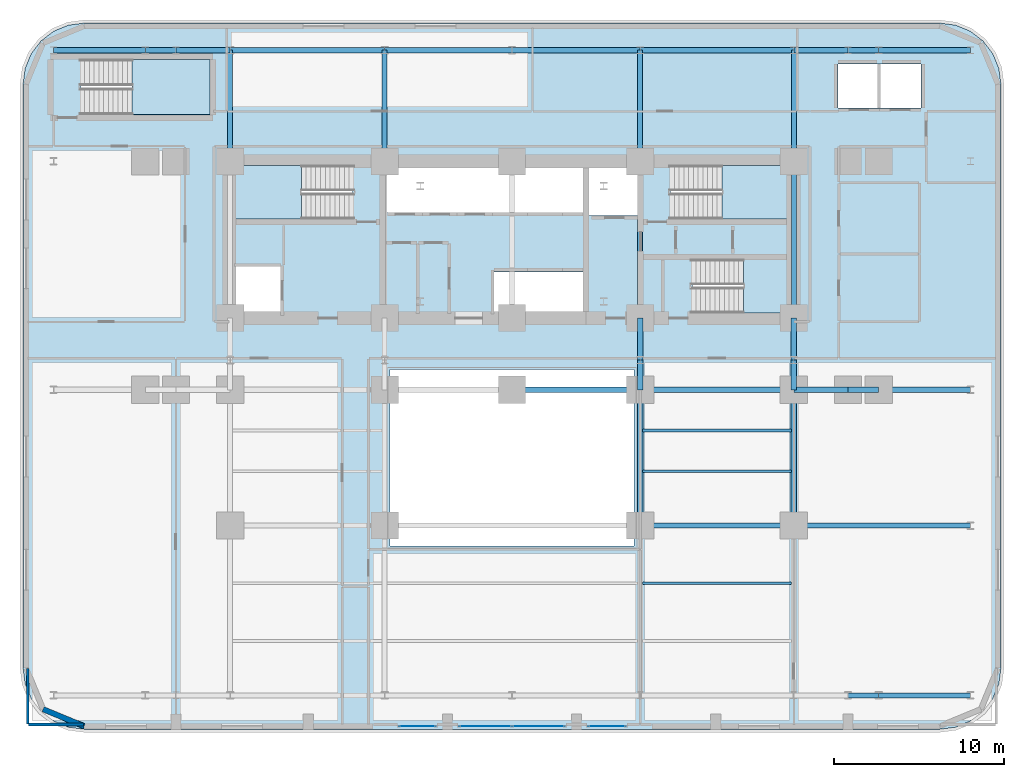
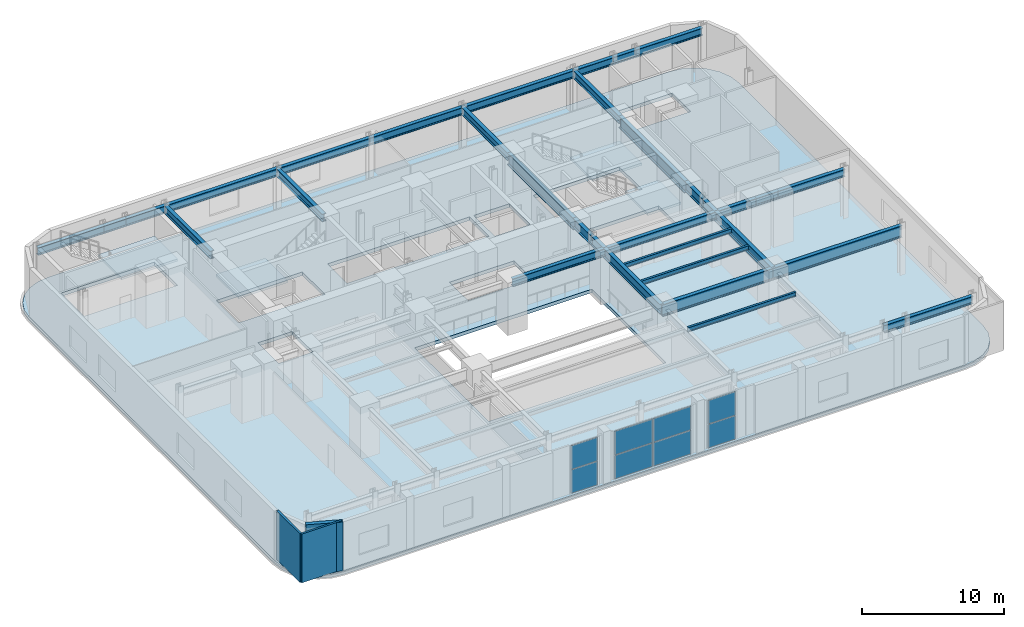
# One storey, part 5 of 14: 34 beams, 8 plates, 5 slabs, 3 walls, 7 elements without a shape of their own.
"""IFC4 building model written with IfcOpenShell, lengths in metres."""

from ifc_helpers import new_model, si_unit, direction, frame, frame_2d, origin, origin_2d, place, context, subcontext, project, spatial, polyline, rectangle, i_section, outline, extrude, material, layer, layer_set, material_profile, profile_set, type_object, element, aggregate, save


model = new_model("IFC4")

# Units and contexts
model_context = context("Model", 3, precision=1e-05, world=origin(), true_north=direction((0.0, 1.0)))
body_context = subcontext(model_context, "Body", "Model", "MODEL_VIEW")
ifc_project = project(units=[si_unit("LENGTHUNIT", "METRE"), si_unit("AREAUNIT", "SQUARE_METRE"), si_unit("VOLUMEUNIT", "CUBIC_METRE"), si_unit("PLANEANGLEUNIT", "RADIAN"), si_unit("MASSUNIT", "GRAM", prefix="KILO")], contexts=[model_context])

# Site, building, storey
site_placement = place(None, origin())
site = spatial("IfcSite", under=ifc_project, at=site_placement, CompositionType="ELEMENT")
building_placement = place(site_placement, origin())
building = spatial("IfcBuilding", under=site, at=building_placement, Name="Zarnavel Station Tower", CompositionType="ELEMENT")
storey_placement = place(building_placement, frame((0.0, 0.0, 10.39990234375)))
storey = spatial("IfcBuildingStorey", under=building, at=storey_placement, Name="L03", CompositionType="ELEMENT", Elevation=10.39990234375)

# Beams
ifc_material_1 = material(Name="Steel S355J2", Category="steel")
ifc_material_profile_1 = material_profile(ifc_material_1, i_section(OverallWidth=0.300048828125, OverallDepth=0.64990234375, WebThickness=0.01611328125, FlangeThickness=0.031005859375, FilletRadius=0.027099609375, at=origin_2d()), Name="HEB650")
ifc_profile_set_1 = profile_set([ifc_material_profile_1], Name="Steel S355J2")
beam_type_1 = type_object("IfcBeamType", Name="FG_HEB650", PredefinedType="USERDEFINED", material=ifc_profile_set_1)
for number, where, z_axis, x_axis, name in (
    (1, (12.199951171875, 37.050048828125, 3.875), (0.0, 1.0, 0.0), (-1.0, 0.0, 0.0), "L03 NS Girder North 1"),
    (2, (21.300048828125, 37.050048828125, 3.875), (0.0, 1.0, 0.0), (-1.0, 0.0, 0.0), "L03 NS Girder North 2"),
    (3, (36.35009765625, 37.050048828125, 3.875), (0.0, 1.0, 0.0), (-1.0, 0.0, 0.0), "L03 NS Girder North 3"),
    (4, (45.39990234375, 37.050048828125, 3.875), (0.0, 1.0, 0.0), (-1.0, 0.0, 0.0), "L03 NS Girder North 4"),
):
    element("IfcBeam", number, at=place(storey_placement, frame(where, z_axis=z_axis, x_axis=x_axis)), inside=storey, type_object=beam_type_1, Name=name, ObjectType="GIRDER", PredefinedType="USERDEFINED", context=body_context, shape_type="SweptSolid", body=[
        extrude(i_section(OverallWidth=0.300048828125, OverallDepth=0.64990234375, WebThickness=0.01611328125, FlangeThickness=0.031005859375, FilletRadius=0.027099609375, at=origin_2d()), origin(), (0.0, 0.0, 1.0), 6.550048828125),
    ])
beam_1_placement = place(storey_placement, frame((48.60009765625, 5.60009765625, 3.875), z_axis=(1.0, 0.0, 0.0), x_axis=(0.0, 1.0, 0.0)))
element("IfcBeam", 5, at=beam_1_placement, inside=storey, type_object=beam_type_1, Name="L03 EW Frame Girder 1-9", ObjectType="GIRDER", PredefinedType="USERDEFINED", context=body_context, shape_type="SweptSolid", body=[
    extrude(i_section(OverallWidth=0.300048828125, OverallDepth=0.64990234375, WebThickness=0.01611328125, FlangeThickness=0.031005859375, FilletRadius=0.027099609375, at=origin_2d()), origin(), (0.0, 0.0, 1.0), 1.7998046875),
])
beam_2_placement = place(storey_placement, frame((50.39990234375, 5.60009765625, 3.875), z_axis=(1.0, 0.0, 0.0), x_axis=(0.0, 1.0, 0.0)))
element("IfcBeam", 6, at=beam_2_placement, inside=storey, type_object=beam_type_1, Name="L03 EW Frame Girder 1-10", ObjectType="GIRDER", PredefinedType="USERDEFINED", context=body_context, shape_type="SweptSolid", body=[
    extrude(i_section(OverallWidth=0.300048828125, OverallDepth=0.64990234375, WebThickness=0.01611328125, FlangeThickness=0.031005859375, FilletRadius=0.027099609375, at=origin_2d()), origin(), (0.0, 0.0, 1.0), 5.400146484375),
])
beam_3_placement = place(storey_placement, frame((28.800048828125, 23.60009765625, 3.875), z_axis=(1.0, 0.0, 0.0), x_axis=(0.0, 1.0, 0.0)))
element("IfcBeam", 7, at=beam_3_placement, inside=storey, type_object=beam_type_1, Name="L03 EW Frame Girder 2-6", ObjectType="GIRDER", PredefinedType="USERDEFINED", context=body_context, shape_type="SweptSolid", body=[
    extrude(i_section(OverallWidth=0.300048828125, OverallDepth=0.64990234375, WebThickness=0.01611328125, FlangeThickness=0.031005859375, FilletRadius=0.027099609375, at=origin_2d()), origin(), (0.0, 0.0, 1.0), 7.550048828125),
])
beam_4_placement = place(storey_placement, frame((36.35009765625, 23.60009765625, 3.875), z_axis=(1.0, 0.0, 0.0), x_axis=(0.0, 1.0, 0.0)))
element("IfcBeam", 8, at=beam_4_placement, inside=storey, type_object=beam_type_1, Name="L03 EW Frame Girder 2-7", ObjectType="GIRDER", PredefinedType="USERDEFINED", context=body_context, shape_type="SweptSolid", body=[
    extrude(i_section(OverallWidth=0.300048828125, OverallDepth=0.64990234375, WebThickness=0.01611328125, FlangeThickness=0.031005859375, FilletRadius=0.027099609375, at=origin_2d()), origin(), (0.0, 0.0, 1.0), 9.0498046875),
])
beam_5_placement = place(storey_placement, frame((45.39990234375, 23.60009765625, 3.875), z_axis=(1.0, 0.0, 0.0), x_axis=(0.0, 1.0, 0.0)))
element("IfcBeam", 9, at=beam_5_placement, inside=storey, type_object=beam_type_1, Name="L03 EW Frame Girder 2-8", ObjectType="GIRDER", PredefinedType="USERDEFINED", context=body_context, shape_type="SweptSolid", body=[
    extrude(i_section(OverallWidth=0.300048828125, OverallDepth=0.64990234375, WebThickness=0.01611328125, FlangeThickness=0.031005859375, FilletRadius=0.027099609375, at=origin_2d()), origin(), (0.0, 0.0, 1.0), 3.2001953125),
])
beam_6_placement = place(storey_placement, frame((48.60009765625, 23.60009765625, 3.875), z_axis=(1.0, 0.0, 0.0), x_axis=(0.0, 1.0, 0.0)))
element("IfcBeam", 10, at=beam_6_placement, inside=storey, type_object=beam_type_1, Name="L03 EW Frame Girder 2-9", ObjectType="GIRDER", PredefinedType="USERDEFINED", context=body_context, shape_type="SweptSolid", body=[
    extrude(i_section(OverallWidth=0.300048828125, OverallDepth=0.64990234375, WebThickness=0.01611328125, FlangeThickness=0.031005859375, FilletRadius=0.027099609375, at=origin_2d()), origin(), (0.0, 0.0, 1.0), 1.7998046875),
])
beam_7_placement = place(storey_placement, frame((50.39990234375, 23.60009765625, 3.875), z_axis=(1.0, 0.0, 0.0), x_axis=(0.0, 1.0, 0.0)))
element("IfcBeam", 11, at=beam_7_placement, inside=storey, type_object=beam_type_1, Name="L03 EW Frame Girder 2-10", ObjectType="GIRDER", PredefinedType="USERDEFINED", context=body_context, shape_type="SweptSolid", body=[
    extrude(i_section(OverallWidth=0.300048828125, OverallDepth=0.64990234375, WebThickness=0.01611328125, FlangeThickness=0.031005859375, FilletRadius=0.027099609375, at=origin_2d()), origin(), (0.0, 0.0, 1.0), 5.400146484375),
])
beam_8_placement = place(storey_placement, frame((1.800048828125, 43.60009765625, 3.875), z_axis=(1.0, 0.0, 0.0), x_axis=(0.0, 1.0, 0.0)))
element("IfcBeam", 12, at=beam_8_placement, inside=storey, type_object=beam_type_1, Name="L03 EW Frame Girder 3-1", ObjectType="GIRDER", PredefinedType="USERDEFINED", context=body_context, shape_type="SweptSolid", body=[
    extrude(i_section(OverallWidth=0.300048828125, OverallDepth=0.64990234375, WebThickness=0.01611328125, FlangeThickness=0.031005859375, FilletRadius=0.027099609375, at=origin_2d()), origin(), (0.0, 0.0, 1.0), 5.39990234375),
])
beam_9_placement = place(storey_placement, frame((7.199951171875, 43.60009765625, 3.875), z_axis=(1.0, 0.0, 0.0), x_axis=(0.0, 1.0, 0.0)))
element("IfcBeam", 13, at=beam_9_placement, inside=storey, type_object=beam_type_1, Name="L03 EW Frame Girder 3-2", ObjectType="GIRDER", PredefinedType="USERDEFINED", context=body_context, shape_type="SweptSolid", body=[
    extrude(i_section(OverallWidth=0.300048828125, OverallDepth=0.64990234375, WebThickness=0.01611328125, FlangeThickness=0.031005859375, FilletRadius=0.027099609375, at=origin_2d()), origin(), (0.0, 0.0, 1.0), 1.800048828125),
])
beam_10_placement = place(storey_placement, frame((9.0, 43.60009765625, 3.875), z_axis=(1.0, 0.0, 0.0), x_axis=(0.0, 1.0, 0.0)))
element("IfcBeam", 14, at=beam_10_placement, inside=storey, type_object=beam_type_1, Name="L03 EW Frame Girder 3-3", ObjectType="GIRDER", PredefinedType="USERDEFINED", context=body_context, shape_type="SweptSolid", body=[
    extrude(i_section(OverallWidth=0.300048828125, OverallDepth=0.64990234375, WebThickness=0.01611328125, FlangeThickness=0.031005859375, FilletRadius=0.027099609375, at=origin_2d()), origin(), (0.0, 0.0, 1.0), 3.199951171875),
])
beam_11_placement = place(storey_placement, frame((12.199951171875, 43.60009765625, 3.875), z_axis=(1.0, 0.0, 0.0), x_axis=(0.0, 1.0, 0.0)))
element("IfcBeam", 15, at=beam_11_placement, inside=storey, type_object=beam_type_1, Name="L03 EW Frame Girder 3-4", ObjectType="GIRDER", PredefinedType="USERDEFINED", context=body_context, shape_type="SweptSolid", body=[
    extrude(i_section(OverallWidth=0.300048828125, OverallDepth=0.64990234375, WebThickness=0.01611328125, FlangeThickness=0.031005859375, FilletRadius=0.027099609375, at=origin_2d()), origin(), (0.0, 0.0, 1.0), 9.10009765625),
])
beam_12_placement = place(storey_placement, frame((21.300048828125, 43.60009765625, 3.875), z_axis=(1.0, 0.0, 0.0), x_axis=(0.0, 1.0, 0.0)))
element("IfcBeam", 16, at=beam_12_placement, inside=storey, type_object=beam_type_1, Name="L03 EW Frame Girder 3-5", ObjectType="GIRDER", PredefinedType="USERDEFINED", context=body_context, shape_type="SweptSolid", body=[
    extrude(i_section(OverallWidth=0.300048828125, OverallDepth=0.64990234375, WebThickness=0.01611328125, FlangeThickness=0.031005859375, FilletRadius=0.027099609375, at=origin_2d()), origin(), (0.0, 0.0, 1.0), 7.5),
])
beam_13_placement = place(storey_placement, frame((28.800048828125, 43.60009765625, 3.875), z_axis=(1.0, 0.0, 0.0), x_axis=(0.0, 1.0, 0.0)))
element("IfcBeam", 17, at=beam_13_placement, inside=storey, type_object=beam_type_1, Name="L03 EW Frame Girder 3-6", ObjectType="GIRDER", PredefinedType="USERDEFINED", context=body_context, shape_type="SweptSolid", body=[
    extrude(i_section(OverallWidth=0.300048828125, OverallDepth=0.64990234375, WebThickness=0.01611328125, FlangeThickness=0.031005859375, FilletRadius=0.027099609375, at=origin_2d()), origin(), (0.0, 0.0, 1.0), 7.550048828125),
])
beam_14_placement = place(storey_placement, frame((36.35009765625, 43.60009765625, 3.875), z_axis=(1.0, 0.0, 0.0), x_axis=(0.0, 1.0, 0.0)))
element("IfcBeam", 18, at=beam_14_placement, inside=storey, type_object=beam_type_1, Name="L03 EW Frame Girder 3-7", ObjectType="GIRDER", PredefinedType="USERDEFINED", context=body_context, shape_type="SweptSolid", body=[
    extrude(i_section(OverallWidth=0.300048828125, OverallDepth=0.64990234375, WebThickness=0.01611328125, FlangeThickness=0.031005859375, FilletRadius=0.027099609375, at=origin_2d()), origin(), (0.0, 0.0, 1.0), 9.0498046875),
])
beam_15_placement = place(storey_placement, frame((45.39990234375, 43.60009765625, 3.875), z_axis=(1.0, 0.0, 0.0), x_axis=(0.0, 1.0, 0.0)))
element("IfcBeam", 19, at=beam_15_placement, inside=storey, type_object=beam_type_1, Name="L03 EW Frame Girder 3-8", ObjectType="GIRDER", PredefinedType="USERDEFINED", context=body_context, shape_type="SweptSolid", body=[
    extrude(i_section(OverallWidth=0.300048828125, OverallDepth=0.64990234375, WebThickness=0.01611328125, FlangeThickness=0.031005859375, FilletRadius=0.027099609375, at=origin_2d()), origin(), (0.0, 0.0, 1.0), 3.2001953125),
])
beam_16_placement = place(storey_placement, frame((48.60009765625, 43.60009765625, 3.875), z_axis=(1.0, 0.0, 0.0), x_axis=(0.0, 1.0, 0.0)))
element("IfcBeam", 20, at=beam_16_placement, inside=storey, type_object=beam_type_1, Name="L03 EW Frame Girder 3-9", ObjectType="GIRDER", PredefinedType="USERDEFINED", context=body_context, shape_type="SweptSolid", body=[
    extrude(i_section(OverallWidth=0.300048828125, OverallDepth=0.64990234375, WebThickness=0.01611328125, FlangeThickness=0.031005859375, FilletRadius=0.027099609375, at=origin_2d()), origin(), (0.0, 0.0, 1.0), 1.7998046875),
])
beam_17_placement = place(storey_placement, frame((50.39990234375, 43.60009765625, 3.875), z_axis=(1.0, 0.0, 0.0), x_axis=(0.0, 1.0, 0.0)))
element("IfcBeam", 21, at=beam_17_placement, inside=storey, type_object=beam_type_1, Name="L03 EW Frame Girder 3-10", ObjectType="GIRDER", PredefinedType="USERDEFINED", context=body_context, shape_type="SweptSolid", body=[
    extrude(i_section(OverallWidth=0.300048828125, OverallDepth=0.64990234375, WebThickness=0.01611328125, FlangeThickness=0.031005859375, FilletRadius=0.027099609375, at=origin_2d()), origin(), (0.0, 0.0, 1.0), 5.400146484375),
])
ifc_material_2 = material(Name="Steel S460M", Category="steel")
ifc_material_profile_2 = material_profile(ifc_material_2, i_section(OverallWidth=0.302978515625, OverallDepth=0.81396484375, WebThickness=0.02099609375, FlangeThickness=0.0400390625, FilletRadius=0.030029296875, at=origin_2d()), Name="HEM800")
ifc_profile_set_2 = profile_set([ifc_material_profile_2], Name="Steel S460M")
beam_type_2 = type_object("IfcBeamType", Name="FG_HEM800", PredefinedType="USERDEFINED", material=ifc_profile_set_2)
beam_18_placement = place(storey_placement, frame((36.35009765625, 15.60009765625, 3.793212890625), z_axis=(0.0, 1.0, 0.0), x_axis=(-1.0, 0.0, 0.0)))
element("IfcBeam", 22, at=beam_18_placement, inside=storey, type_object=beam_type_2, Name="L03 NS Girder Mid 3", ObjectType="GIRDER", PredefinedType="USERDEFINED", context=body_context, shape_type="SweptSolid", body=[
    extrude(i_section(OverallWidth=0.302978515625, OverallDepth=0.81396484375, WebThickness=0.02099609375, FlangeThickness=0.0400390625, FilletRadius=0.030029296875, at=origin_2d()), origin(), (0.0, 0.0, 1.0), 8.0),
])
beam_19_placement = place(storey_placement, frame((36.35009765625, 23.60009765625, 3.793212890625), z_axis=(0.0, 1.0, 0.0), x_axis=(-1.0, 0.0, 0.0)))
element("IfcBeam", 23, at=beam_19_placement, inside=storey, type_object=beam_type_2, Name="L03 NS Girder Spine 3", ObjectType="GIRDER", PredefinedType="USERDEFINED", context=body_context, shape_type="SweptSolid", body=[
    extrude(i_section(OverallWidth=0.302978515625, OverallDepth=0.81396484375, WebThickness=0.02099609375, FlangeThickness=0.0400390625, FilletRadius=0.030029296875, at=origin_2d()), origin(), (0.0, 0.0, 1.0), 1.75),
])
beam_20_placement = place(storey_placement, frame((36.35009765625, 25.35009765625, 3.793212890625), z_axis=(0.0, 1.0, 0.0), x_axis=(-1.0, 0.0, 0.0)))
element("IfcBeam", 24, at=beam_20_placement, inside=storey, type_object=beam_type_2, Name="L03 NS Girder Core 3", ObjectType="GIRDER", PredefinedType="USERDEFINED", context=body_context, shape_type="SweptSolid", body=[
    extrude(i_section(OverallWidth=0.302978515625, OverallDepth=0.81396484375, WebThickness=0.02099609375, FlangeThickness=0.0400390625, FilletRadius=0.030029296875, at=origin_2d()), origin(), (0.0, 0.0, 1.0), 2.469970703125),
])
beam_21_placement = place(storey_placement, frame((45.39990234375, 15.60009765625, 3.793212890625), z_axis=(0.0, 1.0, 0.0), x_axis=(-1.0, 0.0, 0.0)))
element("IfcBeam", 25, at=beam_21_placement, inside=storey, type_object=beam_type_2, Name="L03 NS Girder Mid 4", ObjectType="GIRDER", PredefinedType="USERDEFINED", context=body_context, shape_type="SweptSolid", body=[
    extrude(i_section(OverallWidth=0.302978515625, OverallDepth=0.81396484375, WebThickness=0.02099609375, FlangeThickness=0.0400390625, FilletRadius=0.030029296875, at=origin_2d()), origin(), (0.0, 0.0, 1.0), 8.0),
])
beam_22_placement = place(storey_placement, frame((45.39990234375, 23.60009765625, 3.793212890625), z_axis=(0.0, 1.0, 0.0), x_axis=(-1.0, 0.0, 0.0)))
element("IfcBeam", 26, at=beam_22_placement, inside=storey, type_object=beam_type_2, Name="L03 NS Girder Spine 4", ObjectType="GIRDER", PredefinedType="USERDEFINED", context=body_context, shape_type="SweptSolid", body=[
    extrude(i_section(OverallWidth=0.302978515625, OverallDepth=0.81396484375, WebThickness=0.02099609375, FlangeThickness=0.0400390625, FilletRadius=0.030029296875, at=origin_2d()), origin(), (0.0, 0.0, 1.0), 1.75),
])
beam_23_placement = place(storey_placement, frame((45.39990234375, 25.35009765625, 3.793212890625), z_axis=(0.0, 1.0, 0.0), x_axis=(-1.0, 0.0, 0.0)))
element("IfcBeam", 27, at=beam_23_placement, inside=storey, type_object=beam_type_2, Name="L03 NS Girder Core 4", ObjectType="GIRDER", PredefinedType="USERDEFINED", context=body_context, shape_type="SweptSolid", body=[
    extrude(i_section(OverallWidth=0.302978515625, OverallDepth=0.81396484375, WebThickness=0.02099609375, FlangeThickness=0.0400390625, FilletRadius=0.030029296875, at=origin_2d()), origin(), (0.0, 0.0, 1.0), 2.469970703125),
])
ifc_material_3 = material(Name="Steel S355J2", Category="steel")
ifc_material_profile_3 = material_profile(ifc_material_3, i_section(OverallWidth=0.169921875, OverallDepth=0.360107421875, WebThickness=0.008056640625, FlangeThickness=0.0126953125, FilletRadius=0.01806640625, at=origin_2d()), Name="IPE360")
ifc_profile_set_3 = profile_set([ifc_material_profile_3], Name="Steel S355J2")
beam_type_3 = type_object("IfcBeamType", Name="FJ_IPE360", PredefinedType="JOIST", material=ifc_profile_set_3)
for number, where, z_axis, x_axis, name in (
    (28, (36.4951171875, 12.199951171875, 4.02001953125), (1.0, 0.0, 0.0), (0.0, 1.0, 0.0), "L03 Floor Joist E2"),
    (29, (36.4951171875, 18.800048828125, 4.02001953125), (1.0, 0.0, 0.0), (0.0, 1.0, 0.0), "L03 East Joist 3"),
    (30, (36.4951171875, 21.199951171875, 4.02001953125), (1.0, 0.0, 0.0), (0.0, 1.0, 0.0), "L03 East Joist 4"),
):
    element("IfcBeam", number, at=place(storey_placement, frame(where, z_axis=z_axis, x_axis=x_axis)), inside=storey, type_object=beam_type_3, Name=name, PredefinedType="JOIST", context=body_context, shape_type="SweptSolid", body=[
        extrude(i_section(OverallWidth=0.169921875, OverallDepth=0.360107421875, WebThickness=0.008056640625, FlangeThickness=0.0126953125, FilletRadius=0.01806640625, at=origin_2d()), origin(), (0.0, 0.0, 1.0), 8.759765625),
    ])
ifc_material_4 = material(Name="Steel S460M", Category="steel")
ifc_material_profile_4 = material_profile(ifc_material_4, i_section(OverallWidth=0.302001953125, OverallDepth=1.008056640625, WebThickness=0.02099609375, FlangeThickness=0.0400390625, FilletRadius=0.030029296875, at=origin_2d()), Name="HEM1000")
ifc_profile_set_4 = profile_set([ifc_material_profile_4], Name="Steel S460M")
beam_type_4 = type_object("IfcBeamType", Name="TG_HEM1000", PredefinedType="USERDEFINED", material=ifc_profile_set_4)
for number, where, z_axis, x_axis, name in (
    (31, (36.35009765625, 27.820068359375, 3.696044921875), (0.0, 1.0, 0.0), (-1.0, 0.0, 0.0), "L03 Core Spine Coupling Girder 4"),
    (32, (45.39990234375, 27.820068359375, 3.696044921875), (0.0, 1.0, 0.0), (-1.0, 0.0, 0.0), "L03 Core Spine Coupling Girder 5"),
):
    element("IfcBeam", number, at=place(storey_placement, frame(where, z_axis=z_axis, x_axis=x_axis)), inside=storey, type_object=beam_type_4, Name=name, ObjectType="GIRDER", PredefinedType="USERDEFINED", context=body_context, shape_type="SweptSolid", body=[
        extrude(i_section(OverallWidth=0.302001953125, OverallDepth=1.008056640625, WebThickness=0.02099609375, FlangeThickness=0.0400390625, FilletRadius=0.030029296875, at=origin_2d()), origin(), (0.0, 0.0, 1.0), 9.22998046875),
    ])
beam_24_placement = place(storey_placement, frame((36.35009765625, 15.60009765625, 3.696044921875), z_axis=(1.0, 0.0, 0.0), x_axis=(0.0, 1.0, 0.0)))
element("IfcBeam", 33, at=beam_24_placement, inside=storey, type_object=beam_type_4, Name="L03 East Hall Inner Girder", ObjectType="GIRDER", PredefinedType="USERDEFINED", context=body_context, shape_type="SweptSolid", body=[
    extrude(i_section(OverallWidth=0.302001953125, OverallDepth=1.008056640625, WebThickness=0.02099609375, FlangeThickness=0.0400390625, FilletRadius=0.030029296875, at=origin_2d()), origin(), (0.0, 0.0, 1.0), 9.0498046875),
])
beam_25_placement = place(storey_placement, frame((45.39990234375, 15.60009765625, 3.696044921875), z_axis=(1.0, 0.0, 0.0), x_axis=(0.0, 1.0, 0.0)))
element("IfcBeam", 34, at=beam_25_placement, inside=storey, type_object=beam_type_4, Name="L03 East Hall Outer Girder", ObjectType="GIRDER", PredefinedType="USERDEFINED", context=body_context, shape_type="SweptSolid", body=[
    extrude(i_section(OverallWidth=0.302001953125, OverallDepth=1.008056640625, WebThickness=0.02099609375, FlangeThickness=0.0400390625, FilletRadius=0.030029296875, at=origin_2d()), origin(), (0.0, 0.0, 1.0), 10.400146484375),
])

# Curtain wall, plates
ifc_material_5 = material(Name="Aluminium Dark Anodised and Solar-Control Glass", Category="aluminium")
ifc_layer_1 = layer(ifc_material_5, 0.179931640625)
ifc_layer_set_1 = layer_set([ifc_layer_1], Name="CWS1")
curtain_wall_type = type_object("IfcCurtainWallType", Name="CWS1", PredefinedType="NOTDEFINED", material=ifc_layer_set_1)
curtain_wall_1_placement = place(storey_placement, origin())
curtain_wall_1 = element("IfcCurtainWall", 35, at=curtain_wall_1_placement, inside=storey, type_object=curtain_wall_type, Name="L03 Curtain Wall CWS1-L03-S-S1", PredefinedType="NOTDEFINED")
ifc_material_6 = material(Name="Double Low-E Dark Solar-Control Glass", Category="glass")
ifc_layer_2 = layer(ifc_material_6, 0.035888671875)
ifc_layer_set_2 = layer_set([ifc_layer_2], Name="CWS1_PNL")
plate_type = type_object("IfcPlateType", Name="CWS1_PNL", PredefinedType="CURTAIN_PANEL", material=ifc_layer_set_2)
plate_1_placement = place(storey_placement, frame((23.22802734375, 3.780029296875, 0.06005859375), z_axis=(0.0, 0.0, 1.0), x_axis=(1.0, 0.0, 0.0)))
plate_1 = element("IfcPlate", 36, at=plate_1_placement, type_object=plate_type, Name="CW1 panel 1.1", PredefinedType="CURTAIN_PANEL", context=body_context, shape_type="SweptSolid", body=[
    extrude(rectangle(XDim=2.135986328125, YDim=0.028076171875, at=origin_2d()), origin(), (0.0, 0.0, 1.0), 2.010009765625),
])
plate_2_placement = place(storey_placement, frame((23.22802734375, 3.780029296875, 2.1298828125), z_axis=(0.0, 0.0, 1.0), x_axis=(1.0, 0.0, 0.0)))
plate_2 = element("IfcPlate", 37, at=plate_2_placement, type_object=plate_type, Name="CW1 panel 1.2", PredefinedType="CURTAIN_PANEL", context=body_context, shape_type="SweptSolid", body=[
    extrude(rectangle(XDim=2.135986328125, YDim=0.028076171875, at=origin_2d()), origin(), (0.0, 0.0, 1.0), 2.010009765625),
])
aggregate(curtain_wall_1, [plate_1, plate_2])

curtain_wall_2_placement = place(storey_placement, origin())
curtain_wall_2 = element("IfcCurtainWall", 38, at=curtain_wall_2_placement, inside=storey, type_object=curtain_wall_type, Name="L03 Curtain Wall CWS1-L03-S-S2", PredefinedType="NOTDEFINED")
plate_3_placement = place(storey_placement, frame((27.237060546875, 3.780029296875, 0.06005859375), z_axis=(0.0, 0.0, 1.0), x_axis=(1.0, 0.0, 0.0)))
plate_3 = element("IfcPlate", 39, at=plate_3_placement, type_object=plate_type, Name="CW1 panel 1.1", PredefinedType="CURTAIN_PANEL", context=body_context, shape_type="SweptSolid", body=[
    extrude(rectangle(XDim=3.06591796875, YDim=0.028076171875, at=origin_2d()), origin(), (0.0, 0.0, 1.0), 2.010009765625),
])
plate_4_placement = place(storey_placement, frame((27.237060546875, 3.780029296875, 2.1298828125), z_axis=(0.0, 0.0, 1.0), x_axis=(1.0, 0.0, 0.0)))
plate_4 = element("IfcPlate", 40, at=plate_4_placement, type_object=plate_type, Name="CW1 panel 1.2", PredefinedType="CURTAIN_PANEL", context=body_context, shape_type="SweptSolid", body=[
    extrude(rectangle(XDim=3.06591796875, YDim=0.028076171875, at=origin_2d()), origin(), (0.0, 0.0, 1.0), 2.010009765625),
])
plate_5_placement = place(storey_placement, frame((30.363037109375, 3.780029296875, 0.06005859375), z_axis=(0.0, 0.0, 1.0), x_axis=(1.0, 0.0, 0.0)))
plate_5 = element("IfcPlate", 41, at=plate_5_placement, type_object=plate_type, Name="CW1 panel 2.1", PredefinedType="CURTAIN_PANEL", context=body_context, shape_type="SweptSolid", body=[
    extrude(rectangle(XDim=3.06591796875, YDim=0.028076171875, at=origin_2d()), origin(), (0.0, 0.0, 1.0), 2.010009765625),
])
plate_6_placement = place(storey_placement, frame((30.363037109375, 3.780029296875, 2.1298828125), z_axis=(0.0, 0.0, 1.0), x_axis=(1.0, 0.0, 0.0)))
plate_6 = element("IfcPlate", 42, at=plate_6_placement, type_object=plate_type, Name="CW1 panel 2.2", PredefinedType="CURTAIN_PANEL", context=body_context, shape_type="SweptSolid", body=[
    extrude(rectangle(XDim=3.06591796875, YDim=0.028076171875, at=origin_2d()), origin(), (0.0, 0.0, 1.0), 2.010009765625),
])
aggregate(curtain_wall_2, [plate_3, plate_4, plate_5, plate_6])

curtain_wall_3_placement = place(storey_placement, origin())
curtain_wall_3 = element("IfcCurtainWall", 43, at=curtain_wall_3_placement, inside=storey, type_object=curtain_wall_type, Name="L03 Curtain Wall CWS1-L03-S-S3", PredefinedType="NOTDEFINED")
plate_7_placement = place(storey_placement, frame((34.39697265625, 3.780029296875, 0.06005859375), z_axis=(0.0, 0.0, 1.0), x_axis=(1.0, 0.0, 0.0)))
plate_7 = element("IfcPlate", 44, at=plate_7_placement, type_object=plate_type, Name="CW1 panel 1.1", PredefinedType="CURTAIN_PANEL", context=body_context, shape_type="SweptSolid", body=[
    extrude(rectangle(XDim=2.18603515625, YDim=0.028076171875, at=origin_2d()), origin(), (0.0, 0.0, 1.0), 2.010009765625),
])
plate_8_placement = place(storey_placement, frame((34.39697265625, 3.780029296875, 2.1298828125), z_axis=(0.0, 0.0, 1.0), x_axis=(1.0, 0.0, 0.0)))
plate_8 = element("IfcPlate", 45, at=plate_8_placement, type_object=plate_type, Name="CW1 panel 1.2", PredefinedType="CURTAIN_PANEL", context=body_context, shape_type="SweptSolid", body=[
    extrude(rectangle(XDim=2.18603515625, YDim=0.028076171875, at=origin_2d()), origin(), (0.0, 0.0, 1.0), 2.010009765625),
])
aggregate(curtain_wall_3, [plate_7, plate_8])

# Slab
ifc_material_7 = material(Name="Concrete C45/55", Category="concrete")
ifc_layer_3 = layer(ifc_material_7, 0.300048828125)
ifc_layer_set_3 = layer_set([ifc_layer_3], Name="SL_FLR_300")
slab_type_1 = type_object("IfcSlabType", Name="SL_FLR_300", PredefinedType="FLOOR", material=ifc_layer_set_3)
slab_1_placement = place(storey_placement, frame((0.0, 0.0, -0.2998046875)))
element("IfcSlab", 46, at=slab_1_placement, inside=storey, type_object=slab_type_1, Name="L03 Structural Floor Slab", PredefinedType="FLOOR", context=body_context, shape_type="SweptSolid", body=[
    extrude(outline(polyline([(54.0, 3.60009765625), (54.931640625, 3.72265625), (55.800048828125, 4.082275390625), (56.545654296875, 4.654296875), (57.11767578125, 5.39990234375), (57.477294921875, 6.268310546875), (57.60009765625, 7.199951171875), (57.60009765625, 41.60009765625), (57.477294921875, 42.53173828125), (57.11767578125, 43.39990234375), (56.545654296875, 44.1455078125), (55.800048828125, 44.7177734375), (54.931640625, 45.077392578125), (54.0, 45.199951171875), (3.60009765625, 45.199951171875), (2.668212890625, 45.077392578125), (1.800048828125, 44.7177734375), (1.054443359375, 44.1455078125), (0.482421875, 43.39990234375), (0.122802734375, 42.53173828125), (0.0, 41.60009765625), (0.0, 7.199951171875), (0.122802734375, 6.268310546875), (0.482421875, 5.39990234375), (1.054443359375, 4.654296875), (1.800048828125, 4.082275390625), (2.668212890625, 3.72265625), (3.60009765625, 3.60009765625), (54.0, 3.60009765625)]), holes=[polyline([(12.39990234375, 33.659912109375), (19.409912109375, 33.659912109375), (19.409912109375, 36.820068359375), (12.39990234375, 36.820068359375), (12.39990234375, 33.659912109375)]), polyline([(38.14990234375, 33.659912109375), (45.159912109375, 33.659912109375), (45.159912109375, 36.820068359375), (38.14990234375, 36.820068359375), (38.14990234375, 33.659912109375)]), polyline([(39.419921875, 28.1201171875), (45.14990234375, 28.1201171875), (45.14990234375, 31.280029296875), (39.419921875, 31.280029296875), (39.419921875, 28.1201171875)]), polyline([(3.419921875, 39.800048828125), (11.0, 39.800048828125), (11.0, 43.06005859375), (3.419921875, 43.06005859375), (3.419921875, 39.800048828125)]), polyline([(12.35009765625, 27.949951171875), (15.14990234375, 27.949951171875), (15.14990234375, 30.85009765625), (12.35009765625, 30.85009765625), (12.35009765625, 27.949951171875)]), polyline([(33.320068359375, 33.85009765625), (36.2099609375, 33.85009765625), (36.2099609375, 36.780029296875), (33.320068359375, 36.780029296875), (33.320068359375, 33.85009765625)]), polyline([(21.449951171875, 34.050048828125), (32.97998046875, 34.050048828125), (32.97998046875, 36.780029296875), (21.449951171875, 36.780029296875), (21.449951171875, 34.050048828125)]), polyline([(27.75, 27.949951171875), (32.97998046875, 27.949951171875), (32.97998046875, 30.550048828125), (27.75, 30.550048828125), (27.75, 27.949951171875)]), polyline([(48.0, 40.199951171875), (52.89990234375, 40.199951171875), (52.89990234375, 42.800048828125), (48.0, 42.800048828125), (48.0, 40.199951171875)]), polyline([(21.60009765625, 14.39990234375), (36.0, 14.39990234375), (36.0, 24.800048828125), (21.60009765625, 24.800048828125), (21.60009765625, 14.39990234375)])]), origin(), (0.0, 0.0, 1.0), 0.2998046875),
])

# Stair, slab
ifc_material_8 = material(Name="Concrete C45/55", Category="concrete")
stair_type_1 = type_object("IfcStairType", Name="ST_CORE_150", PredefinedType="HALF_TURN_STAIR", material=ifc_material_8)
stair_1_placement = place(storey_placement, origin())
stair_1 = element("IfcStair", 47, at=stair_1_placement, inside=storey, type_object=stair_type_1, Name="L03 Core Exit Stair ST1", PredefinedType="HALF_TURN_STAIR")
ifc_material_9 = material(Name="Concrete C45/55", Category="concrete")
ifc_layer_4 = layer(ifc_material_9, 0.199951171875)
ifc_layer_set_4 = layer_set([ifc_layer_4], Name="SL_STAIR_LAND_200")
slab_type_2 = type_object("IfcSlabType", Name="SL_STAIR_LAND_200", PredefinedType="LANDING", material=ifc_layer_set_4)
slab_2_placement = place(storey_placement, frame((0.0, 0.0, 2.050048828125)))
slab_2 = element("IfcSlab", 48, at=slab_2_placement, type_object=slab_type_2, Name="ST1 landing 1", PredefinedType="LANDING", context=body_context, shape_type="SweptSolid", body=[
    extrude(outline(polyline([(16.39990234375, 36.820068359375), (12.39990234375, 36.820068359375), (12.39990234375, 33.659912109375), (16.39990234375, 33.659912109375), (16.39990234375, 36.820068359375)])), origin(), (0.0, 0.0, 1.0), 0.199951171875),
])
aggregate(stair_1, [slab_2])

stair_2_placement = place(storey_placement, origin())
stair_2 = element("IfcStair", 49, at=stair_2_placement, inside=storey, type_object=stair_type_1, Name="L03 Core Exit Stair ST2", PredefinedType="HALF_TURN_STAIR")
slab_3_placement = place(storey_placement, frame((0.0, 0.0, 2.050048828125)))
slab_3 = element("IfcSlab", 50, at=slab_3_placement, type_object=slab_type_2, Name="ST2 landing 1", PredefinedType="LANDING", context=body_context, shape_type="SweptSolid", body=[
    extrude(outline(polyline([(41.159912109375, 33.659912109375), (45.159912109375, 33.659912109375), (45.159912109375, 36.820068359375), (41.159912109375, 36.820068359375), (41.159912109375, 33.659912109375)])), origin(), (0.0, 0.0, 1.0), 0.199951171875),
])
aggregate(stair_2, [slab_3])

stair_3_placement = place(storey_placement, origin())
stair_3 = element("IfcStair", 51, at=stair_3_placement, inside=storey, type_object=stair_type_1, Name="L03 Core Exit Stair ST3", PredefinedType="HALF_TURN_STAIR")
slab_4_placement = place(storey_placement, frame((0.0, 0.0, 2.050048828125)))
slab_4 = element("IfcSlab", 52, at=slab_4_placement, type_object=slab_type_2, Name="ST3 landing 1", PredefinedType="LANDING", context=body_context, shape_type="SweptSolid", body=[
    extrude(outline(polyline([(42.429931640625, 28.1201171875), (45.14990234375, 28.1201171875), (45.14990234375, 31.280029296875), (42.429931640625, 31.280029296875), (42.429931640625, 28.1201171875)])), origin(), (0.0, 0.0, 1.0), 0.199951171875),
])
aggregate(stair_3, [slab_4])

ifc_material_10 = material(Name="Concrete C45/55", Category="concrete")
stair_type_2 = type_object("IfcStairType", Name="ST_POD_155", PredefinedType="HALF_TURN_STAIR", material=ifc_material_10)
stair_4_placement = place(storey_placement, origin())
stair_4 = element("IfcStair", 53, at=stair_4_placement, inside=storey, type_object=stair_type_2, Name="L03 Core Exit Stair ST4", PredefinedType="HALF_TURN_STAIR")
slab_5_placement = place(storey_placement, frame((0.0, 0.0, 2.050048828125)))
slab_5 = element("IfcSlab", 54, at=slab_5_placement, type_object=slab_type_2, Name="ST4 landing 1", PredefinedType="LANDING", context=body_context, shape_type="SweptSolid", body=[
    extrude(outline(polyline([(6.429931640625, 39.800048828125), (11.0, 39.800048828125), (11.0, 43.06005859375), (6.429931640625, 43.06005859375), (6.429931640625, 39.800048828125)])), origin(), (0.0, 0.0, 1.0), 0.199951171875),
])
aggregate(stair_4, [slab_5])

# Walls
ifc_material_11 = material(Name="Precast concrete C45/55 (Podium Basalt Frame)", Category="masonry")
ifc_layer_5 = layer(ifc_material_11, 0.320068359375)
ifc_layer_set_5 = layer_set([ifc_layer_5], Name="EW_BASALT_320")
wall_type_1 = type_object("IfcWallType", Name="EW_BASALT_320", PredefinedType="SOLIDWALL", material=ifc_layer_set_5)
wall_placement = place(storey_placement, frame((3.60009765625, 3.780029296875, 0.0), z_axis=(0.0, 0.0, 1.0), x_axis=(-0.923886112352, 0.382667546838, 0.0)))
element("IfcWall", 55, at=wall_placement, inside=storey, type_object=wall_type_1, Name="L03 Exterior Basalt Masonry Frame Wall 11", PredefinedType="SOLIDWALL", context=body_context, shape_type="SweptSolid", body=[
    extrude(rectangle(XDim=2.61767578125, YDim=0.320068359375, at=frame_2d((1.308837890625, 0.0))), origin(), (0.0, 0.0, 1.0), 4.2001953125),
])
ifc_material_12 = material(Name="Gypsum Twin-Stud Acoustic Fire Partition", Category="concrete")
ifc_layer_6 = layer(ifc_material_12, 0.159912109375)
ifc_layer_set_6 = layer_set([ifc_layer_6], Name="PT_DEMISE_160")
wall_type_2 = type_object("IfcWallType", Name="PT_DEMISE_160", PredefinedType="PARTITIONING", material=ifc_layer_set_6)
for number, where, z_axis, x_axis, name in (
    (56, (0.31005859375, 3.8798828125, 0.0), (0.0, 0.0, 1.0), (1.0, 0.0, 0.0), "L03 Enclosure Wall DEPTW"),
    (57, (0.280029296875, 3.909912109375, 0.0), (0.0, 0.0, 1.0), (0.0, 1.0, 0.0), "L03 Enclosure Wall DEPTW"),
):
    element("IfcWall", number, at=place(storey_placement, frame(where, z_axis=z_axis, x_axis=x_axis)), inside=storey, type_object=wall_type_2, Name=name, PredefinedType="PARTITIONING", context=body_context, shape_type="SweptSolid", body=[
        extrude(rectangle(XDim=3.260009765625, YDim=0.159912109375, at=frame_2d((1.6298828125, 0.0))), origin(), (0.0, 0.0, 1.0), 4.2001953125),
    ])

save(model, "model.ifc")
